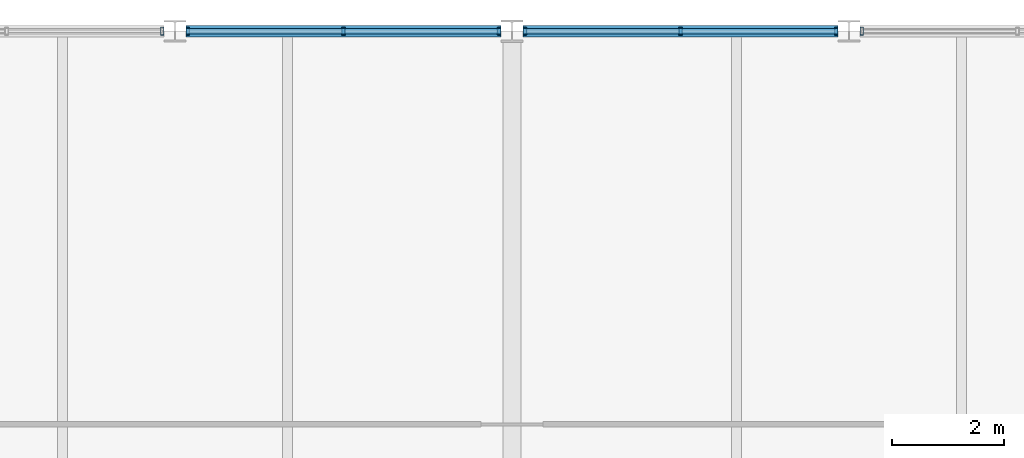
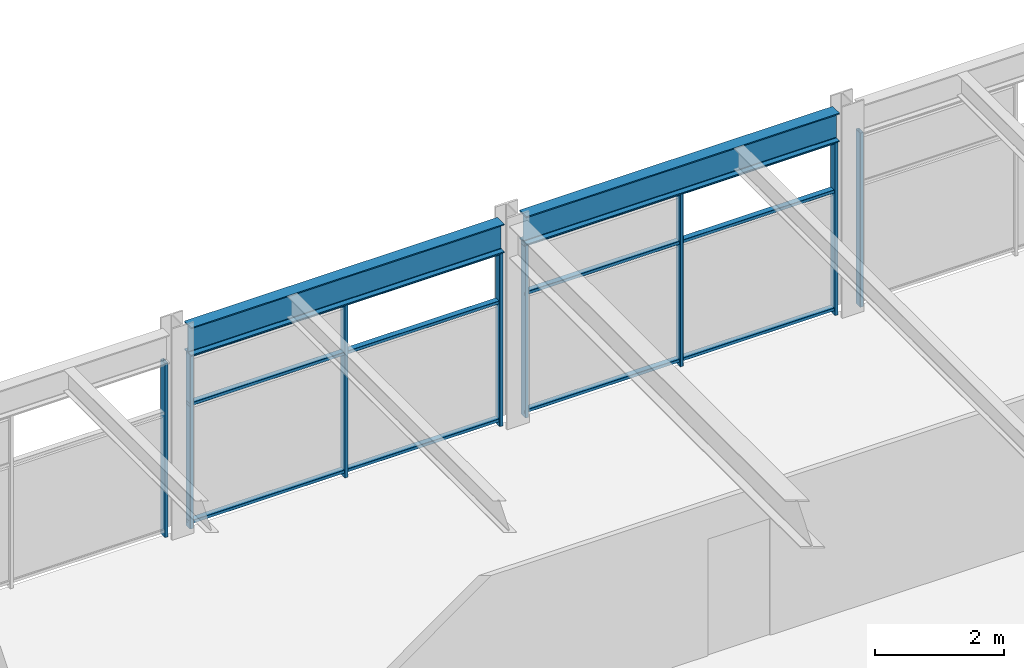
# One storey, part 35 of 52: 14 members, 2 beams, 4 elements without a shape of their own.
"""IFC4 building model written with IfcOpenShell, lengths in metres."""

import ifcopenshell
import ifcopenshell.guid

model = None  # the IFC model being written
_history = None  # IfcOwnerHistory: only IFC2X3 demands one
_inside = {}  # id of a spatial element -> (the spatial element, [elements in it])
_under = {}  # id of a project, library or spatial element -> (it, [spatial elements below it])
_declared = {}  # id of a project -> (the project, [libraries it declares])
_typed = {}  # id of a type object -> (the type object, [elements of that type])
_made_of = {}  # id of a material, layer set ... -> (it, [elements and type objects made of it])


def new_model(schema):
    """Start an empty IFC model of exactly this schema.

    Asked for "IFC4X3", IfcOpenShell would pick the latest addendum, in which some entities
    have other attributes; the version numbers below select the first issue.
    IFC2X3 requires an IfcOwnerHistory on every rooted entity: one is made here for all.
    """
    global model, _history
    if schema == "IFC4X3":
        model = ifcopenshell.file(schema_version=(4, 3, 0, 0))
    else:
        model = ifcopenshell.file(schema=schema)
    _inside.clear()
    _under.clear()
    _declared.clear()
    _typed.clear()
    _made_of.clear()
    _history = None
    if model.schema == "IFC2X3":
        org = make("IfcOrganization", Name="unknown")
        user = make(
            "IfcPersonAndOrganization",
            ThePerson=make("IfcPerson", FamilyName="unknown"),
            TheOrganization=org,
        )
        app = make(
            "IfcApplication",
            ApplicationDeveloper=org,
            Version="unknown",
            ApplicationFullName="unknown",
            ApplicationIdentifier="unknown",
        )
        _history = make(
            "IfcOwnerHistory",
            OwningUser=user,
            OwningApplication=app,
            ChangeAction="ADDED",
            CreationDate=0,
        )
    return model


def make(cls, **values):
    """One entity of the class cls with the attributes given. An attribute that is None is left unset."""
    return model.create_entity(
        cls, **{name: value for name, value in values.items() if value is not None}
    )


def rooted(cls, **values):
    """An entity with a GlobalId (a new one), such as an element, a storey or a relation."""
    return make(cls, GlobalId=ifcopenshell.guid.new(), OwnerHistory=_history, **values)


def si_unit(unit_type, name, prefix=None):
    """IfcSIUnit, for example si_unit("LENGTHUNIT", "METRE", prefix="MILLI")."""
    return make("IfcSIUnit", UnitType=unit_type, Prefix=prefix, Name=name)


def assignment(units):
    """IfcUnitAssignment: the units of a project."""
    return None if units is None else make("IfcUnitAssignment", Units=units)


def point(xyz):
    """IfcCartesianPoint."""
    return None if xyz is None else make("IfcCartesianPoint", Coordinates=xyz)


def direction(xyz):
    """IfcDirection."""
    return None if xyz is None else make("IfcDirection", DirectionRatios=xyz)


def frame(location, z_axis=None, x_axis=None):
    """IfcAxis2Placement3D, a coordinate frame: its origin and axes. An axis left out is left unset."""
    return make(
        "IfcAxis2Placement3D",
        Location=point(location),
        Axis=direction(z_axis),
        RefDirection=direction(x_axis),
    )


def frame_2d(location, x_axis=None):
    """IfcAxis2Placement2D, a coordinate frame in the plane: its origin and x axis."""
    return make(
        "IfcAxis2Placement2D", Location=point(location), RefDirection=direction(x_axis)
    )


def origin():
    """The frame at (0, 0, 0) with its axes left unset."""
    return frame((0.0, 0.0, 0.0))


def origin_2d():
    """The frame at (0, 0) in the plane with its x axis left unset."""
    return frame_2d((0.0, 0.0))


def place(relative_to, where):
    """IfcLocalPlacement: puts the frame where relative to a parent placement (None: the world)."""
    return make(
        "IfcLocalPlacement", PlacementRelTo=relative_to, RelativePlacement=where
    )


def context(
    kind, dimensions, precision=None, world=None, true_north=None, identifier=None
):
    """IfcGeometricRepresentationContext, for example the 3D "Model" context."""
    return make(
        "IfcGeometricRepresentationContext",
        ContextIdentifier=identifier,
        ContextType=kind,
        CoordinateSpaceDimension=dimensions,
        Precision=precision,
        WorldCoordinateSystem=world,
        TrueNorth=true_north,
    )


def subcontext(parent, identifier, kind, view, scale=None):
    """IfcGeometricRepresentationSubContext, for example "Body" below "Model"."""
    return make(
        "IfcGeometricRepresentationSubContext",
        ContextIdentifier=identifier,
        ContextType=kind,
        ParentContext=parent,
        TargetScale=scale,
        TargetView=view,
    )


def project(units=None, contexts=None):
    """IfcProject with its units and contexts."""
    return rooted(
        "IfcProject",
        Name="project",
        RepresentationContexts=contexts,
        UnitsInContext=assignment(units),
    )


def spatial(cls, under=None, at=None, **own):
    """A site, building, storey or space (cls), placed at a placement, below another one or the project."""
    s = rooted(cls, ObjectPlacement=at, **own)
    if under is not None:
        _under.setdefault(under.id(), (under, []))[1].append(s)
    return s


def profile(cls, at=None, kind="AREA", **sizes):
    """A parametric profile (cls). Its sizes go by their IFC names, for example OverallWidth=200.0."""
    return make(cls, ProfileType=kind, Position=at, **sizes)


def hollow_rectangle(**sizes):
    """IfcRectangleHollowProfileDef."""
    return profile("IfcRectangleHollowProfileDef", **sizes)


def i_section(**sizes):
    """IfcIShapeProfileDef."""
    return profile("IfcIShapeProfileDef", **sizes)


def extrude(swept, where, along, depth):
    """IfcExtrudedAreaSolid: the profile swept, set in the frame where, extruded along a direction by depth."""
    return make(
        "IfcExtrudedAreaSolid",
        SweptArea=swept,
        Position=where,
        ExtrudedDirection=direction(along),
        Depth=depth,
    )


def shape(context_of_items, identifier, shape_type, items):
    """IfcShapeRepresentation: the items that make up one representation, for example the "Body"."""
    return make(
        "IfcShapeRepresentation",
        ContextOfItems=context_of_items,
        RepresentationIdentifier=identifier,
        RepresentationType=shape_type,
        Items=items,
    )


def material(Name=None, Category=None):
    """IfcMaterial."""
    return make("IfcMaterial", Name=Name, Category=Category)


def material_profile(
    of_material, cross_section, Name=None, Category=None, Priority=None
):
    """IfcMaterialProfile: a cross section and its material."""
    return make(
        "IfcMaterialProfile",
        Name=Name,
        Material=of_material,
        Profile=cross_section,
        Priority=Priority,
        Category=Category,
    )


def profile_set(profiles, Name=None, composite=None):
    """IfcMaterialProfileSet."""
    return make(
        "IfcMaterialProfileSet",
        Name=Name,
        MaterialProfiles=profiles,
        CompositeProfile=composite,
    )


def made_of(thing, what):
    """Note that an element or type object is made of a material, layer set ...; save() writes the relation."""
    if what is not None:
        _made_of.setdefault(what.id(), (what, []))[1].append(thing)
    return thing


def type_object(cls, material=None, **own):
    """A type object (cls), such as IfcWallType, which elements share."""
    return made_of(rooted(cls, **own), material)


def element(
    cls,
    number,
    at=None,
    inside=None,
    cuts=None,
    type_object=None,
    material=None,
    context=None,
    identifier="Body",
    shape_type=None,
    held_by="IfcProductDefinitionShape",
    body=None,
    shapes=None,
    **own,
):
    """One element of the class cls, such as IfcWall. Its Tag is "e" and its number.

    at: its placement. inside: the storey or other place that contains it. cuts: it is an
    opening in that element (IfcRelVoidsElement). A single representation is given by context,
    identifier, shape_type and body (its items); several are given by shapes. held_by: the class
    of the entity that holds the representations. save() writes the other relations.
    """
    e = rooted(cls, Tag="e%d" % number, ObjectPlacement=at, **own)
    if body is not None:
        shapes = [shape(context, identifier, shape_type, body)]
    if shapes is not None:
        e.Representation = make(held_by, Representations=shapes)
    if inside is not None:
        _inside.setdefault(inside.id(), (inside, []))[1].append(e)
    if cuts is not None:
        rooted(
            "IfcRelVoidsElement", RelatingBuildingElement=cuts, RelatedOpeningElement=e
        )
    if type_object is not None:
        _typed.setdefault(type_object.id(), (type_object, []))[1].append(e)
    return made_of(e, material)


def aggregate(whole, parts):
    """IfcRelAggregates: a whole, such as a stair, and the parts it consists of."""
    return rooted("IfcRelAggregates", RelatingObject=whole, RelatedObjects=parts)


def save(model, path):
    """Write the relations noted so far, then the file.

    IfcRelAggregates (storeys below a building ...), IfcRelContainedInSpatialStructure (elements
    in a storey), IfcRelDefinesByType, IfcRelAssociatesMaterial and IfcRelDeclares: one each for
    every whole, place, type object, material and project.
    """
    for whole, parts in _under.values():
        aggregate(whole, parts)
    for where, things in _inside.values():
        rooted(
            "IfcRelContainedInSpatialStructure",
            RelatedElements=things,
            RelatingStructure=where,
        )
    for kind, things in _typed.values():
        rooted("IfcRelDefinesByType", RelatedObjects=things, RelatingType=kind)
    for what, things in _made_of.values():
        rooted("IfcRelAssociatesMaterial", RelatedObjects=things, RelatingMaterial=what)
    for by, libraries in _declared.values():
        rooted("IfcRelDeclares", RelatingContext=by, RelatedDefinitions=libraries)
    model.write(path)


model = new_model("IFC4")

# Units and contexts
model_context = context("Model", 3, precision=1e-05, world=origin(), true_north=direction((0.0, 1.0)))
body_context = subcontext(model_context, "Body", "Model", "MODEL_VIEW")
ifc_project = project(units=[si_unit("LENGTHUNIT", "METRE"), si_unit("AREAUNIT", "SQUARE_METRE"), si_unit("VOLUMEUNIT", "CUBIC_METRE"), si_unit("PLANEANGLEUNIT", "RADIAN"), si_unit("MASSUNIT", "GRAM", prefix="KILO")], contexts=[model_context])

# Site, building, storey
site_placement = place(None, origin())
site = spatial("IfcSite", under=ifc_project, at=site_placement, CompositionType="ELEMENT")
building_placement = place(site_placement, origin())
building = spatial("IfcBuilding", under=site, at=building_placement, Name="Girod Span Mobility Hub", CompositionType="ELEMENT")
storey_placement = place(building_placement, frame((0.0, 0.0, 45.60009765625)))
storey = spatial("IfcBuildingStorey", under=building, at=storey_placement, Name="L11", CompositionType="ELEMENT", Elevation=45.60009765625)

# Beams
ifc_material_1 = material(Name="Steel A992 Grade 50", Category="steel")
ifc_material_profile_1 = material_profile(ifc_material_1, i_section(OverallWidth=0.2119140625, OverallDepth=0.5439453125, WebThickness=0.01318359375, FlangeThickness=0.021240234375, FilletRadius=0.014892578125, at=origin_2d()), Name="W21X83")
ifc_profile_set_1 = profile_set([ifc_material_profile_1], Name="Steel A992 Grade 50")
beam_type = type_object("IfcBeamType", Name="BM-STL-W21X83", PredefinedType="SPANDREL", material=ifc_profile_set_1)
for number, where, z_axis, x_axis, name in (
    (1, (90.194091796875, 69.0, 3.56787109375), (1.0, 0.0, 0.0), (0.0, 1.0, 0.0), "Spandrel Beam 8-9/F-E L11"),
    (2, (96.196533203125, 69.0, 3.56787109375), (1.0, 0.0, 0.0), (0.0, 1.0, 0.0), "Spandrel Beam 9-10/F-W L11"),
):
    element("IfcBeam", number, at=place(storey_placement, frame(where, z_axis=z_axis, x_axis=x_axis)), inside=storey, type_object=beam_type, Name=name, PredefinedType="SPANDREL", context=body_context, shape_type="SweptSolid", body=[
        extrude(i_section(OverallWidth=0.2119140625, OverallDepth=0.5439453125, WebThickness=0.01318359375, FlangeThickness=0.021240234375, FilletRadius=0.014892578125, at=origin_2d()), origin(), (0.0, 0.0, 1.0), 5.609375),
    ])

# Curtain wall, member
ifc_material_2 = material(Name="Thermally Broken Anodised Aluminium", Category="aluminium")
curtain_wall_type = type_object("IfcCurtainWallType", Name="CW-561X330", PredefinedType="USERDEFINED", material=ifc_material_2)
curtain_wall_1_placement = place(storey_placement, origin())
curtain_wall_1 = element("IfcCurtainWall", 3, at=curtain_wall_1_placement, inside=storey, type_object=curtain_wall_type, Name="Unitised Curtain Wall CW-L11-N08W L11", ObjectType="UNITISED CURTAIN WALL", PredefinedType="USERDEFINED")
ifc_material_3 = material(Name="Thermally Broken Anodised Aluminium", Category="aluminium")
ifc_material_profile_2 = material_profile(ifc_material_3, hollow_rectangle(XDim=0.139892578125, YDim=0.06005859375, WallThickness=0.00341796875, InnerFilletRadius=0.00341796875, OuterFilletRadius=0.007080078125, at=origin_2d()), Name="CW-ML-60X140")
ifc_profile_set_2 = profile_set([ifc_material_profile_2], Name="Thermally Broken Anodised Aluminium")
member_type_1 = type_object("IfcMemberType", Name="CWM-ML-4", PredefinedType="MULLION", material=ifc_profile_set_2)
member_1_placement = place(storey_placement, frame((89.77294921875, 69.0, 0.0), z_axis=(0.0, 0.0, 1.0), x_axis=(0.0, 1.0, 0.0)))
member_1 = element("IfcMember", 4, at=member_1_placement, type_object=member_type_1, Name="Curtain Wall Mullion CW-L11-N08W-M2", PredefinedType="MULLION", context=body_context, shape_type="SweptSolid", body=[
    extrude(hollow_rectangle(XDim=0.139892578125, YDim=0.06005859375, WallThickness=0.00341796875, InnerFilletRadius=0.00341796875, OuterFilletRadius=0.007080078125, at=origin_2d()), origin(), (0.0, 0.0, 1.0), 3.2958984375),
])
aggregate(curtain_wall_1, [member_1])

# Curtain wall, members
curtain_wall_2_placement = place(storey_placement, origin())
curtain_wall_2 = element("IfcCurtainWall", 5, at=curtain_wall_2_placement, inside=storey, type_object=curtain_wall_type, Name="Unitised Curtain Wall CW-L11-N08E L11", ObjectType="UNITISED CURTAIN WALL", PredefinedType="USERDEFINED")
member_2_placement = place(storey_placement, frame((90.22705078125, 69.0, 0.0), z_axis=(0.0, 0.0, 1.0), x_axis=(0.0, 1.0, 0.0)))
member_2 = element("IfcMember", 6, at=member_2_placement, type_object=member_type_1, Name="Curtain Wall Mullion CW-L11-N08E-M0", PredefinedType="MULLION", context=body_context, shape_type="SweptSolid", body=[
    extrude(hollow_rectangle(XDim=0.139892578125, YDim=0.06005859375, WallThickness=0.00341796875, InnerFilletRadius=0.00341796875, OuterFilletRadius=0.007080078125, at=origin_2d()), origin(), (0.0, 0.0, 1.0), 3.2958984375),
])
member_3_placement = place(storey_placement, frame((92.998779296875, 69.0, 0.0), z_axis=(0.0, 0.0, 1.0), x_axis=(0.0, 1.0, 0.0)))
member_3 = element("IfcMember", 7, at=member_3_placement, type_object=member_type_1, Name="Curtain Wall Mullion CW-L11-N08E-M1", PredefinedType="MULLION", context=body_context, shape_type="SweptSolid", body=[
    extrude(hollow_rectangle(XDim=0.139892578125, YDim=0.06005859375, WallThickness=0.00341796875, InnerFilletRadius=0.00341796875, OuterFilletRadius=0.007080078125, at=origin_2d()), origin(), (0.0, 0.0, 1.0), 3.2958984375),
])
member_4_placement = place(storey_placement, frame((95.7705078125, 69.0, 0.0), z_axis=(0.0, 0.0, 1.0), x_axis=(0.0, 1.0, 0.0)))
member_4 = element("IfcMember", 8, at=member_4_placement, type_object=member_type_1, Name="Curtain Wall Mullion CW-L11-N08E-M2", PredefinedType="MULLION", context=body_context, shape_type="SweptSolid", body=[
    extrude(hollow_rectangle(XDim=0.139892578125, YDim=0.06005859375, WallThickness=0.00341796875, InnerFilletRadius=0.00341796875, OuterFilletRadius=0.007080078125, at=origin_2d()), origin(), (0.0, 0.0, 1.0), 3.2958984375),
])

curtain_wall_3_placement = place(storey_placement, origin())
curtain_wall_3 = element("IfcCurtainWall", 9, at=curtain_wall_3_placement, inside=storey, type_object=curtain_wall_type, Name="Unitised Curtain Wall CW-L11-N09W L11", ObjectType="UNITISED CURTAIN WALL", PredefinedType="USERDEFINED")
member_5_placement = place(storey_placement, frame((96.2294921875, 69.0, 0.0), z_axis=(0.0, 0.0, 1.0), x_axis=(0.0, 1.0, 0.0)))
member_5 = element("IfcMember", 10, at=member_5_placement, type_object=member_type_1, Name="Curtain Wall Mullion CW-L11-N09W-M0", PredefinedType="MULLION", context=body_context, shape_type="SweptSolid", body=[
    extrude(hollow_rectangle(XDim=0.139892578125, YDim=0.06005859375, WallThickness=0.00341796875, InnerFilletRadius=0.00341796875, OuterFilletRadius=0.007080078125, at=origin_2d()), origin(), (0.0, 0.0, 1.0), 3.2958984375),
])
member_6_placement = place(storey_placement, frame((99.001220703125, 69.0, 0.0), z_axis=(0.0, 0.0, 1.0), x_axis=(0.0, 1.0, 0.0)))
member_6 = element("IfcMember", 11, at=member_6_placement, type_object=member_type_1, Name="Curtain Wall Mullion CW-L11-N09W-M1", PredefinedType="MULLION", context=body_context, shape_type="SweptSolid", body=[
    extrude(hollow_rectangle(XDim=0.139892578125, YDim=0.06005859375, WallThickness=0.00341796875, InnerFilletRadius=0.00341796875, OuterFilletRadius=0.007080078125, at=origin_2d()), origin(), (0.0, 0.0, 1.0), 3.2958984375),
])
member_7_placement = place(storey_placement, frame((101.77294921875, 69.0, 0.0), z_axis=(0.0, 0.0, 1.0), x_axis=(0.0, 1.0, 0.0)))
member_7 = element("IfcMember", 12, at=member_7_placement, type_object=member_type_1, Name="Curtain Wall Mullion CW-L11-N09W-M2", PredefinedType="MULLION", context=body_context, shape_type="SweptSolid", body=[
    extrude(hollow_rectangle(XDim=0.139892578125, YDim=0.06005859375, WallThickness=0.00341796875, InnerFilletRadius=0.00341796875, OuterFilletRadius=0.007080078125, at=origin_2d()), origin(), (0.0, 0.0, 1.0), 3.2958984375),
])

# Curtain wall, member
curtain_wall_4_placement = place(storey_placement, origin())
curtain_wall_4 = element("IfcCurtainWall", 13, at=curtain_wall_4_placement, inside=storey, type_object=curtain_wall_type, Name="Unitised Curtain Wall CW-L11-N09E L11", ObjectType="UNITISED CURTAIN WALL", PredefinedType="USERDEFINED")
member_8_placement = place(storey_placement, frame((102.22705078125, 69.0, 0.0), z_axis=(0.0, 0.0, 1.0), x_axis=(0.0, 1.0, 0.0)))
member_8 = element("IfcMember", 14, at=member_8_placement, type_object=member_type_1, Name="Curtain Wall Mullion CW-L11-N09E-M0", PredefinedType="MULLION", context=body_context, shape_type="SweptSolid", body=[
    extrude(hollow_rectangle(XDim=0.139892578125, YDim=0.06005859375, WallThickness=0.00341796875, InnerFilletRadius=0.00341796875, OuterFilletRadius=0.007080078125, at=origin_2d()), origin(), (0.0, 0.0, 1.0), 3.2958984375),
])
aggregate(curtain_wall_4, [member_8])

# Member
ifc_material_4 = material(Name="Thermally Broken Anodised Aluminium", Category="aluminium")
ifc_material_profile_3 = material_profile(ifc_material_4, hollow_rectangle(XDim=0.10498046875, YDim=0.06005859375, WallThickness=0.00341796875, InnerFilletRadius=0.00341796875, OuterFilletRadius=0.007080078125, at=origin_2d()), Name="CW-TR-60X105")
ifc_profile_set_3 = profile_set([ifc_material_profile_3], Name="Thermally Broken Anodised Aluminium")
member_type_2 = type_object("IfcMemberType", Name="CWM-TR-4", PredefinedType="USERDEFINED", material=ifc_profile_set_3)
member_9_placement = place(storey_placement, frame((90.195068359375, 69.0, 0.10986328125), z_axis=(1.0, 0.0, 0.0), x_axis=(0.0, 1.0, 0.0)))
member_9 = element("IfcMember", 15, at=member_9_placement, type_object=member_type_2, Name="Curtain Wall Transom CW-L11-N08E-T1", ObjectType="TRANSOM", PredefinedType="USERDEFINED", context=body_context, shape_type="SweptSolid", body=[
    extrude(hollow_rectangle(XDim=0.10498046875, YDim=0.06005859375, WallThickness=0.00341796875, InnerFilletRadius=0.00341796875, OuterFilletRadius=0.007080078125, at=origin_2d()), origin(), (0.0, 0.0, 1.0), 5.607421875),
])

member_10_placement = place(storey_placement, frame((90.195068359375, 69.0, 2.343017578125), z_axis=(1.0, 0.0, 0.0), x_axis=(0.0, 1.0, 0.0)))
member_10 = element("IfcMember", 16, at=member_10_placement, type_object=member_type_2, Name="Curtain Wall Transom CW-L11-N08E-T2", ObjectType="TRANSOM", PredefinedType="USERDEFINED", context=body_context, shape_type="SweptSolid", body=[
    extrude(hollow_rectangle(XDim=0.10498046875, YDim=0.06005859375, WallThickness=0.00341796875, InnerFilletRadius=0.00341796875, OuterFilletRadius=0.007080078125, at=origin_2d()), origin(), (0.0, 0.0, 1.0), 5.607421875),
])

member_11_placement = place(storey_placement, frame((90.195068359375, 69.0, 3.265869140625), z_axis=(1.0, 0.0, 0.0), x_axis=(0.0, 1.0, 0.0)))
member_11 = element("IfcMember", 17, at=member_11_placement, type_object=member_type_2, Name="Curtain Wall Transom CW-L11-N08E-T3", ObjectType="TRANSOM", PredefinedType="USERDEFINED", context=body_context, shape_type="SweptSolid", body=[
    extrude(hollow_rectangle(XDim=0.10498046875, YDim=0.06005859375, WallThickness=0.00341796875, InnerFilletRadius=0.00341796875, OuterFilletRadius=0.007080078125, at=origin_2d()), origin(), (0.0, 0.0, 1.0), 5.607421875),
])

aggregate(curtain_wall_2, [member_2, member_3, member_4, member_9, member_10, member_11])

member_12_placement = place(storey_placement, frame((96.197509765625, 69.0, 0.10986328125), z_axis=(1.0, 0.0, 0.0), x_axis=(0.0, 1.0, 0.0)))
member_12 = element("IfcMember", 18, at=member_12_placement, type_object=member_type_2, Name="Curtain Wall Transom CW-L11-N09W-T1", ObjectType="TRANSOM", PredefinedType="USERDEFINED", context=body_context, shape_type="SweptSolid", body=[
    extrude(hollow_rectangle(XDim=0.10498046875, YDim=0.06005859375, WallThickness=0.00341796875, InnerFilletRadius=0.00341796875, OuterFilletRadius=0.007080078125, at=origin_2d()), origin(), (0.0, 0.0, 1.0), 5.607421875),
])

member_13_placement = place(storey_placement, frame((96.197509765625, 69.0, 2.343017578125), z_axis=(1.0, 0.0, 0.0), x_axis=(0.0, 1.0, 0.0)))
member_13 = element("IfcMember", 19, at=member_13_placement, type_object=member_type_2, Name="Curtain Wall Transom CW-L11-N09W-T2", ObjectType="TRANSOM", PredefinedType="USERDEFINED", context=body_context, shape_type="SweptSolid", body=[
    extrude(hollow_rectangle(XDim=0.10498046875, YDim=0.06005859375, WallThickness=0.00341796875, InnerFilletRadius=0.00341796875, OuterFilletRadius=0.007080078125, at=origin_2d()), origin(), (0.0, 0.0, 1.0), 5.607421875),
])

member_14_placement = place(storey_placement, frame((96.197509765625, 69.0, 3.265869140625), z_axis=(1.0, 0.0, 0.0), x_axis=(0.0, 1.0, 0.0)))
member_14 = element("IfcMember", 20, at=member_14_placement, type_object=member_type_2, Name="Curtain Wall Transom CW-L11-N09W-T3", ObjectType="TRANSOM", PredefinedType="USERDEFINED", context=body_context, shape_type="SweptSolid", body=[
    extrude(hollow_rectangle(XDim=0.10498046875, YDim=0.06005859375, WallThickness=0.00341796875, InnerFilletRadius=0.00341796875, OuterFilletRadius=0.007080078125, at=origin_2d()), origin(), (0.0, 0.0, 1.0), 5.607421875),
])

aggregate(curtain_wall_3, [member_5, member_6, member_7, member_12, member_13, member_14])

save(model, "model.ifc")
